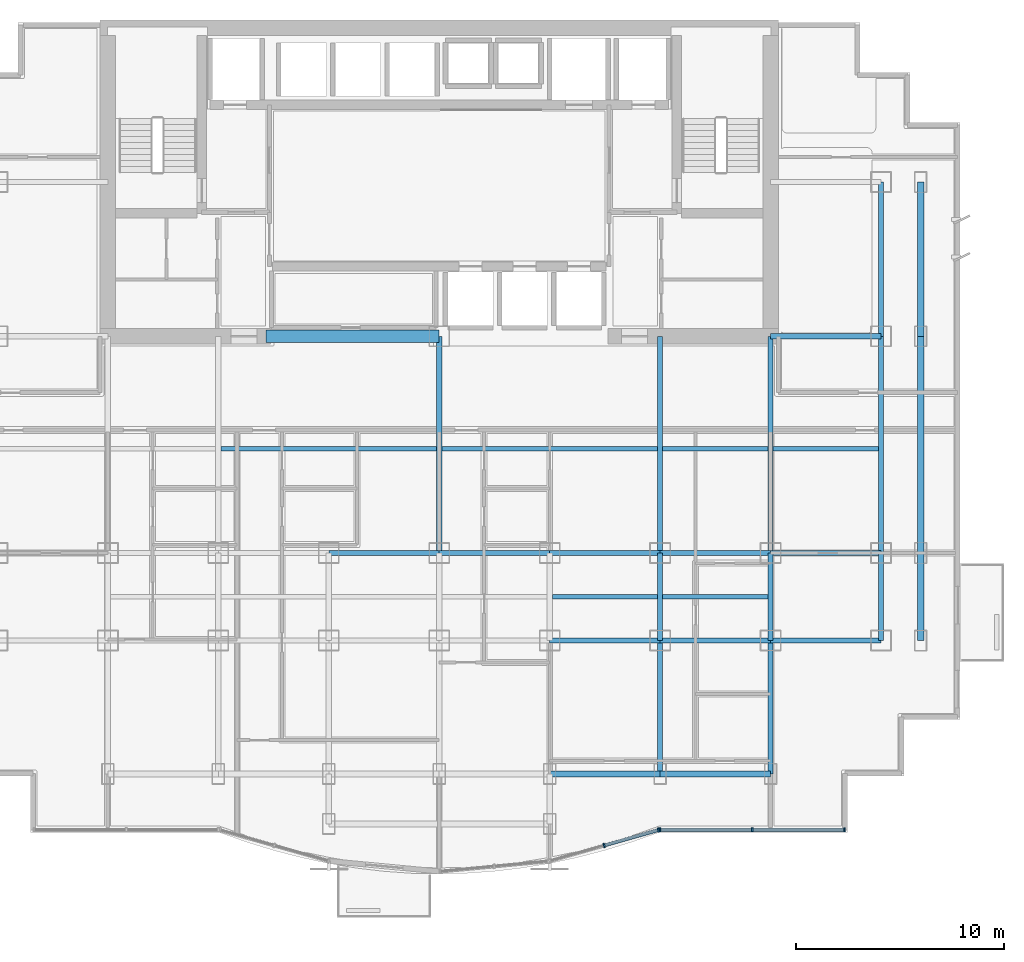
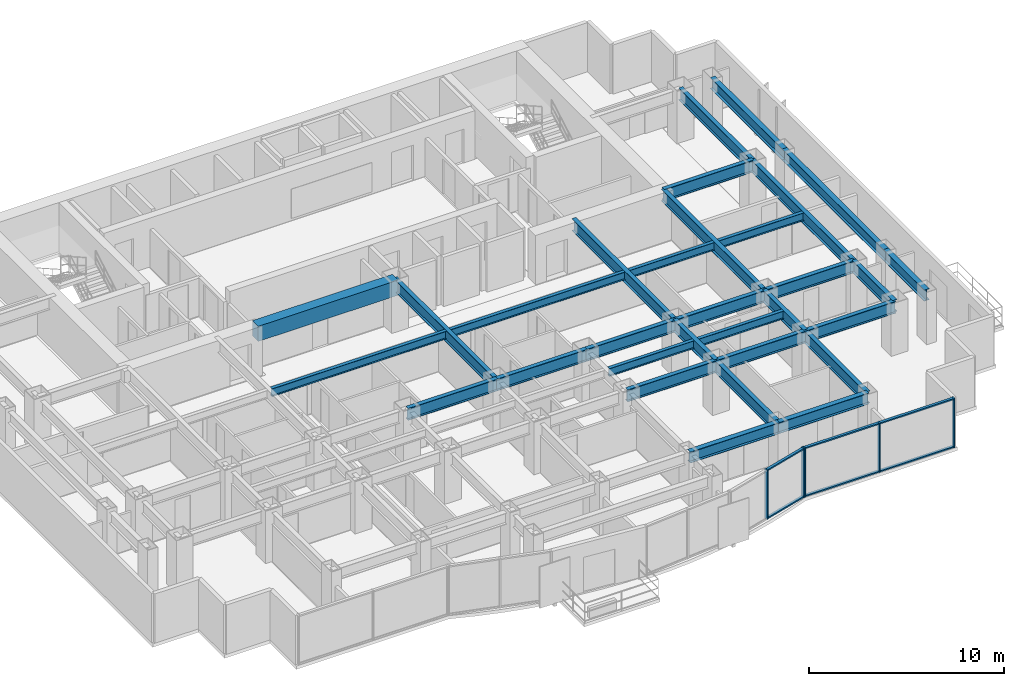
# One storey, part 3 of 10: 31 beams, 11 members, 2 elements without a shape of their own.
"""IFC4 building model written with IfcOpenShell, lengths in metres."""

from ifc_helpers import new_model, si_unit, direction, frame, origin, origin_2d, place, context, subcontext, project, spatial, rectangle, i_section, extrude, source, transform, mapped, material, layer, layer_set, material_profile, profile_set, type_object, element, aggregate, save


model = new_model("IFC4")

# Units and contexts
model_context = context("Model", 3, precision=1e-05, world=origin(), true_north=direction((0.0, 1.0)))
body_context = subcontext(model_context, "Body", "Model", "MODEL_VIEW")
ifc_project = project(units=[si_unit("LENGTHUNIT", "METRE"), si_unit("AREAUNIT", "SQUARE_METRE"), si_unit("VOLUMEUNIT", "CUBIC_METRE"), si_unit("PLANEANGLEUNIT", "RADIAN"), si_unit("MASSUNIT", "GRAM", prefix="KILO")], contexts=[model_context])

# Site, building, storey
site_placement = place(None, origin())
site = spatial("IfcSite", under=ifc_project, at=site_placement, CompositionType="ELEMENT")
building_placement = place(site_placement, origin())
building = spatial("IfcBuilding", under=site, at=building_placement, Name="Qianlan Lanfeng Residences", CompositionType="ELEMENT")
storey_placement = place(building_placement, frame((0.0, 0.0, 91.60009765625)))
storey = spatial("IfcBuildingStorey", under=building, at=storey_placement, Name="L24", CompositionType="ELEMENT", Elevation=91.60009765625)

# Beams
ifc_material_1 = material(Name="Steel SN490B", Category="steel")
ifc_material_profile_1 = material_profile(ifc_material_1, i_section(OverallWidth=0.25, OverallDepth=0.75, WebThickness=0.013916015625, FlangeThickness=0.02490234375, at=origin_2d()), Name="H 750x250x14x25")
ifc_profile_set_1 = profile_set([ifc_material_profile_1], Name="Steel SN490B")
beam_type_1 = type_object("IfcBeamType", Name="G-850", PredefinedType="BEAM", material=ifc_profile_set_1)
beam_1_placement = place(storey_placement, frame((31.800048828125, 10.60009765625, 2.71484375), z_axis=(1.0, 0.0, 0.0), x_axis=(0.0, 1.0, 0.0)))
element("IfcBeam", 1, at=beam_1_placement, inside=storey, type_object=beam_type_1, Name="Structural beam G-850", PredefinedType="BEAM", context=body_context, shape_type="SweptSolid", body=[
    extrude(i_section(OverallWidth=0.25, OverallDepth=0.75, WebThickness=0.013916015625, FlangeThickness=0.02490234375, at=origin_2d()), origin(), (0.0, 0.0, 1.0), 5.300048828125),
])
beam_2_placement = place(storey_placement, frame((37.10009765625, 10.60009765625, 2.71484375), z_axis=(1.0, 0.0, 0.0), x_axis=(0.0, 1.0, 0.0)))
element("IfcBeam", 2, at=beam_2_placement, inside=storey, type_object=beam_type_1, Name="Structural beam G-850", PredefinedType="BEAM", context=body_context, shape_type="SweptSolid", body=[
    extrude(i_section(OverallWidth=0.25, OverallDepth=0.75, WebThickness=0.013916015625, FlangeThickness=0.02490234375, at=origin_2d()), origin(), (0.0, 0.0, 1.0), 5.2998046875),
])
for number, where, z_axis, x_axis, name in (
    (3, (42.39990234375, 10.60009765625, 2.71484375), (1.0, 0.0, 0.0), (0.0, 1.0, 0.0), "Structural beam G-850"),
    (4, (21.199951171875, 14.800048828125, 2.71484375), (1.0, 0.0, 0.0), (0.0, 1.0, 0.0), "Structural beam G-850"),
    (5, (26.5, 14.800048828125, 2.71484375), (1.0, 0.0, 0.0), (0.0, 1.0, 0.0), "Structural beam G-850"),
    (6, (31.800048828125, 14.800048828125, 2.71484375), (1.0, 0.0, 0.0), (0.0, 1.0, 0.0), "Structural beam G-850"),
):
    element("IfcBeam", number, at=place(storey_placement, frame(where, z_axis=z_axis, x_axis=x_axis)), inside=storey, type_object=beam_type_1, Name=name, PredefinedType="BEAM", context=body_context, shape_type="SweptSolid", body=[
        extrude(i_section(OverallWidth=0.25, OverallDepth=0.75, WebThickness=0.013916015625, FlangeThickness=0.02490234375, at=origin_2d()), origin(), (0.0, 0.0, 1.0), 5.300048828125),
    ])
beam_3_placement = place(storey_placement, frame((37.10009765625, 14.800048828125, 2.71484375), z_axis=(1.0, 0.0, 0.0), x_axis=(0.0, 1.0, 0.0)))
element("IfcBeam", 7, at=beam_3_placement, inside=storey, type_object=beam_type_1, Name="Structural beam G-850", PredefinedType="BEAM", context=body_context, shape_type="SweptSolid", body=[
    extrude(i_section(OverallWidth=0.25, OverallDepth=0.75, WebThickness=0.013916015625, FlangeThickness=0.02490234375, at=origin_2d()), origin(), (0.0, 0.0, 1.0), 5.2998046875),
])
for number, where, z_axis, x_axis, name in (
    (8, (42.39990234375, 14.800048828125, 2.71484375), (1.0, 0.0, 0.0), (0.0, 1.0, 0.0), "Structural beam G-850"),
    (9, (42.39990234375, 25.199951171875, 2.71484375), (1.0, 0.0, 0.0), (0.0, 1.0, 0.0), "Structural beam G-850"),
):
    element("IfcBeam", number, at=place(storey_placement, frame(where, z_axis=z_axis, x_axis=x_axis)), inside=storey, type_object=beam_type_1, Name=name, PredefinedType="BEAM", context=body_context, shape_type="SweptSolid", body=[
        extrude(i_section(OverallWidth=0.25, OverallDepth=0.75, WebThickness=0.013916015625, FlangeThickness=0.02490234375, at=origin_2d()), origin(), (0.0, 0.0, 1.0), 5.300048828125),
    ])
beam_4_placement = place(storey_placement, frame((26.5, 14.800048828125, 2.71484375), z_axis=(0.0, 1.0, 0.0), x_axis=(-1.0, 0.0, 0.0)))
element("IfcBeam", 10, at=beam_4_placement, inside=storey, type_object=beam_type_1, Name="Structural beam G-850", PredefinedType="BEAM", context=body_context, shape_type="SweptSolid", body=[
    extrude(i_section(OverallWidth=0.25, OverallDepth=0.75, WebThickness=0.013916015625, FlangeThickness=0.02490234375, at=origin_2d()), origin(), (0.0, 0.0, 1.0), 10.39990234375),
])
beam_5_placement = place(storey_placement, frame((37.10009765625, 4.199951171875, 2.71484375), z_axis=(0.0, 1.0, 0.0), x_axis=(-1.0, 0.0, 0.0)))
element("IfcBeam", 11, at=beam_5_placement, inside=storey, type_object=beam_type_1, Name="Structural beam G-850", PredefinedType="BEAM", context=body_context, shape_type="SweptSolid", body=[
    extrude(i_section(OverallWidth=0.25, OverallDepth=0.75, WebThickness=0.013916015625, FlangeThickness=0.02490234375, at=origin_2d()), origin(), (0.0, 0.0, 1.0), 6.400146484375),
])
beam_6_placement = place(storey_placement, frame((37.10009765625, 10.60009765625, 2.71484375), z_axis=(0.0, 1.0, 0.0), x_axis=(-1.0, 0.0, 0.0)))
element("IfcBeam", 12, at=beam_6_placement, inside=storey, type_object=beam_type_1, Name="Structural beam G-850", PredefinedType="BEAM", context=body_context, shape_type="SweptSolid", body=[
    extrude(i_section(OverallWidth=0.25, OverallDepth=0.75, WebThickness=0.013916015625, FlangeThickness=0.02490234375, at=origin_2d()), origin(), (0.0, 0.0, 1.0), 4.199951171875),
])
beam_7_placement = place(storey_placement, frame((37.10009765625, 14.800048828125, 2.71484375), z_axis=(0.0, 1.0, 0.0), x_axis=(-1.0, 0.0, 0.0)))
element("IfcBeam", 13, at=beam_7_placement, inside=storey, type_object=beam_type_1, Name="Structural beam G-850", PredefinedType="BEAM", context=body_context, shape_type="SweptSolid", body=[
    extrude(i_section(OverallWidth=0.25, OverallDepth=0.75, WebThickness=0.013916015625, FlangeThickness=0.02490234375, at=origin_2d()), origin(), (0.0, 0.0, 1.0), 10.39990234375),
])
beam_8_placement = place(storey_placement, frame((42.39990234375, 4.199951171875, 2.71484375), z_axis=(0.0, 1.0, 0.0), x_axis=(-1.0, 0.0, 0.0)))
element("IfcBeam", 14, at=beam_8_placement, inside=storey, type_object=beam_type_1, Name="Structural beam G-850", PredefinedType="BEAM", context=body_context, shape_type="SweptSolid", body=[
    extrude(i_section(OverallWidth=0.25, OverallDepth=0.75, WebThickness=0.013916015625, FlangeThickness=0.02490234375, at=origin_2d()), origin(), (0.0, 0.0, 1.0), 6.400146484375),
])
beam_9_placement = place(storey_placement, frame((42.39990234375, 10.60009765625, 2.71484375), z_axis=(0.0, 1.0, 0.0), x_axis=(-1.0, 0.0, 0.0)))
element("IfcBeam", 15, at=beam_9_placement, inside=storey, type_object=beam_type_1, Name="Structural beam G-850", PredefinedType="BEAM", context=body_context, shape_type="SweptSolid", body=[
    extrude(i_section(OverallWidth=0.25, OverallDepth=0.75, WebThickness=0.013916015625, FlangeThickness=0.02490234375, at=origin_2d()), origin(), (0.0, 0.0, 1.0), 4.199951171875),
])
beam_10_placement = place(storey_placement, frame((42.39990234375, 14.800048828125, 2.71484375), z_axis=(0.0, 1.0, 0.0), x_axis=(-1.0, 0.0, 0.0)))
element("IfcBeam", 16, at=beam_10_placement, inside=storey, type_object=beam_type_1, Name="Structural beam G-850", PredefinedType="BEAM", context=body_context, shape_type="SweptSolid", body=[
    extrude(i_section(OverallWidth=0.25, OverallDepth=0.75, WebThickness=0.013916015625, FlangeThickness=0.02490234375, at=origin_2d()), origin(), (0.0, 0.0, 1.0), 10.39990234375),
])
beam_11_placement = place(storey_placement, frame((47.699951171875, 10.60009765625, 2.71484375), z_axis=(0.0, 1.0, 0.0), x_axis=(-1.0, 0.0, 0.0)))
element("IfcBeam", 17, at=beam_11_placement, inside=storey, type_object=beam_type_1, Name="Structural beam G-850", PredefinedType="BEAM", context=body_context, shape_type="SweptSolid", body=[
    extrude(i_section(OverallWidth=0.25, OverallDepth=0.75, WebThickness=0.013916015625, FlangeThickness=0.02490234375, at=origin_2d()), origin(), (0.0, 0.0, 1.0), 4.199951171875),
])
beam_12_placement = place(storey_placement, frame((47.699951171875, 14.800048828125, 2.71484375), z_axis=(0.0, 1.0, 0.0), x_axis=(-1.0, 0.0, 0.0)))
element("IfcBeam", 18, at=beam_12_placement, inside=storey, type_object=beam_type_1, Name="Structural beam G-850", PredefinedType="BEAM", context=body_context, shape_type="SweptSolid", body=[
    extrude(i_section(OverallWidth=0.25, OverallDepth=0.75, WebThickness=0.013916015625, FlangeThickness=0.02490234375, at=origin_2d()), origin(), (0.0, 0.0, 1.0), 10.39990234375),
])
beam_13_placement = place(storey_placement, frame((47.699951171875, 25.199951171875, 2.71484375), z_axis=(0.0, 1.0, 0.0), x_axis=(-1.0, 0.0, 0.0)))
element("IfcBeam", 19, at=beam_13_placement, inside=storey, type_object=beam_type_1, Name="Structural beam G-850", PredefinedType="BEAM", context=body_context, shape_type="SweptSolid", body=[
    extrude(i_section(OverallWidth=0.25, OverallDepth=0.75, WebThickness=0.013916015625, FlangeThickness=0.02490234375, at=origin_2d()), origin(), (0.0, 0.0, 1.0), 7.400146484375),
])
ifc_material_profile_2 = material_profile(ifc_material_1, i_section(OverallWidth=0.199951171875, OverallDepth=0.5, WebThickness=0.010009765625, FlangeThickness=0.01611328125, at=origin_2d()), Name="H 500x200x10x16")
ifc_profile_set_2 = profile_set([ifc_material_profile_2], Name="Steel SN490B")
beam_type_2 = type_object("IfcBeamType", Name="J-500", PredefinedType="JOIST", material=ifc_profile_set_2)
beam_14_placement = place(storey_placement, frame((31.925048828125, 12.699951171875, 2.83984375), z_axis=(1.0, 0.0, 0.0), x_axis=(0.0, 1.0, 0.0)))
element("IfcBeam", 20, at=beam_14_placement, inside=storey, type_object=beam_type_2, Name="Structural beam J-500", PredefinedType="JOIST", context=body_context, shape_type="SweptSolid", body=[
    extrude(i_section(OverallWidth=0.199951171875, OverallDepth=0.5, WebThickness=0.010009765625, FlangeThickness=0.01611328125, at=origin_2d()), origin(), (0.0, 0.0, 1.0), 5.050048828125),
])
beam_15_placement = place(storey_placement, frame((37.22509765625, 12.699951171875, 2.83984375), z_axis=(1.0, 0.0, 0.0), x_axis=(0.0, 1.0, 0.0)))
element("IfcBeam", 21, at=beam_15_placement, inside=storey, type_object=beam_type_2, Name="Structural beam J-500", PredefinedType="JOIST", context=body_context, shape_type="SweptSolid", body=[
    extrude(i_section(OverallWidth=0.199951171875, OverallDepth=0.5, WebThickness=0.010009765625, FlangeThickness=0.01611328125, at=origin_2d()), origin(), (0.0, 0.0, 1.0), 5.0498046875),
])
for number, where, z_axis, x_axis, name in (
    (22, (16.02490234375, 19.800048828125, 2.83984375), (1.0, 0.0, 0.0), (0.0, 1.0, 0.0), "Structural beam J-500"),
    (23, (26.625, 19.800048828125, 2.83984375), (1.0, 0.0, 0.0), (0.0, 1.0, 0.0), "Structural beam J-500"),
):
    element("IfcBeam", number, at=place(storey_placement, frame(where, z_axis=z_axis, x_axis=x_axis)), inside=storey, type_object=beam_type_2, Name=name, PredefinedType="JOIST", context=body_context, shape_type="SweptSolid", body=[
        extrude(i_section(OverallWidth=0.199951171875, OverallDepth=0.5, WebThickness=0.010009765625, FlangeThickness=0.01611328125, at=origin_2d()), origin(), (0.0, 0.0, 1.0), 10.35009765625),
    ])
beam_16_placement = place(storey_placement, frame((37.22509765625, 19.800048828125, 2.83984375), z_axis=(1.0, 0.0, 0.0), x_axis=(0.0, 1.0, 0.0)))
element("IfcBeam", 24, at=beam_16_placement, inside=storey, type_object=beam_type_2, Name="Structural beam J-500", PredefinedType="JOIST", context=body_context, shape_type="SweptSolid", body=[
    extrude(i_section(OverallWidth=0.199951171875, OverallDepth=0.5, WebThickness=0.010009765625, FlangeThickness=0.01611328125, at=origin_2d()), origin(), (0.0, 0.0, 1.0), 5.0498046875),
])
beam_17_placement = place(storey_placement, frame((42.52490234375, 19.800048828125, 2.83984375), z_axis=(1.0, 0.0, 0.0), x_axis=(0.0, 1.0, 0.0)))
element("IfcBeam", 25, at=beam_17_placement, inside=storey, type_object=beam_type_2, Name="Structural beam J-500", PredefinedType="JOIST", context=body_context, shape_type="SweptSolid", body=[
    extrude(i_section(OverallWidth=0.199951171875, OverallDepth=0.5, WebThickness=0.010009765625, FlangeThickness=0.01611328125, at=origin_2d()), origin(), (0.0, 0.0, 1.0), 5.050048828125),
])
ifc_material_2 = material(Name="Concrete C60", Category="concrete")
ifc_material_profile_3 = material_profile(ifc_material_2, rectangle(XDim=0.60009765625, YDim=0.949951171875, at=origin_2d()), Name="RC 600x950")
ifc_profile_set_3 = profile_set([ifc_material_profile_3], Name="Concrete C60")
beam_type_3 = type_object("IfcBeamType", Name="LB-RC900", PredefinedType="BEAM", material=ifc_profile_set_3)
beam_18_placement = place(storey_placement, frame((18.199951171875, 25.199951171875, 2.614990234375), z_axis=(1.0, 0.0, 0.0), x_axis=(0.0, 1.0, 0.0)))
element("IfcBeam", 26, at=beam_18_placement, inside=storey, type_object=beam_type_3, Name="L24 Core Coupling Beam W", PredefinedType="BEAM", context=body_context, shape_type="SweptSolid", body=[
    extrude(rectangle(XDim=0.60009765625, YDim=0.949951171875, at=origin_2d()), origin(), (0.0, 0.0, 1.0), 8.300048828125),
])
ifc_material_profile_4 = material_profile(ifc_material_1, i_section(OverallWidth=0.300048828125, OverallDepth=0.699951171875, WebThickness=0.012939453125, FlangeThickness=0.02392578125, at=origin_2d()), Name="H 700x300x13x24")
ifc_profile_set_4 = profile_set([ifc_material_profile_4], Name="Steel SN490B")
beam_type_4 = type_object("IfcBeamType", Name="SG-750", PredefinedType="SPANDREL", material=ifc_profile_set_4)
beam_19_placement = place(storey_placement, frame((31.800048828125, 4.199951171875, 2.739990234375), z_axis=(1.0, 0.0, 0.0), x_axis=(0.0, 1.0, 0.0)))
element("IfcBeam", 27, at=beam_19_placement, inside=storey, type_object=beam_type_4, Name="Structural beam SG-750", PredefinedType="SPANDREL", context=body_context, shape_type="SweptSolid", body=[
    extrude(i_section(OverallWidth=0.300048828125, OverallDepth=0.699951171875, WebThickness=0.012939453125, FlangeThickness=0.02392578125, at=origin_2d()), origin(), (0.0, 0.0, 1.0), 5.300048828125),
])
beam_20_placement = place(storey_placement, frame((37.10009765625, 4.199951171875, 2.739990234375), z_axis=(1.0, 0.0, 0.0), x_axis=(0.0, 1.0, 0.0)))
element("IfcBeam", 28, at=beam_20_placement, inside=storey, type_object=beam_type_4, Name="Structural beam SG-750", PredefinedType="SPANDREL", context=body_context, shape_type="SweptSolid", body=[
    extrude(i_section(OverallWidth=0.300048828125, OverallDepth=0.699951171875, WebThickness=0.012939453125, FlangeThickness=0.02392578125, at=origin_2d()), origin(), (0.0, 0.0, 1.0), 5.2998046875),
])
beam_21_placement = place(storey_placement, frame((49.60009765625, 10.60009765625, 2.739990234375), z_axis=(0.0, 1.0, 0.0), x_axis=(-1.0, 0.0, 0.0)))
element("IfcBeam", 29, at=beam_21_placement, inside=storey, type_object=beam_type_4, Name="Structural beam SG-750", PredefinedType="SPANDREL", context=body_context, shape_type="SweptSolid", body=[
    extrude(i_section(OverallWidth=0.300048828125, OverallDepth=0.699951171875, WebThickness=0.012939453125, FlangeThickness=0.02392578125, at=origin_2d()), origin(), (0.0, 0.0, 1.0), 4.199951171875),
])
beam_22_placement = place(storey_placement, frame((49.60009765625, 14.800048828125, 2.739990234375), z_axis=(0.0, 1.0, 0.0), x_axis=(-1.0, 0.0, 0.0)))
element("IfcBeam", 30, at=beam_22_placement, inside=storey, type_object=beam_type_4, Name="Structural beam SG-750", PredefinedType="SPANDREL", context=body_context, shape_type="SweptSolid", body=[
    extrude(i_section(OverallWidth=0.300048828125, OverallDepth=0.699951171875, WebThickness=0.012939453125, FlangeThickness=0.02392578125, at=origin_2d()), origin(), (0.0, 0.0, 1.0), 10.39990234375),
])
beam_23_placement = place(storey_placement, frame((49.60009765625, 25.199951171875, 2.739990234375), z_axis=(0.0, 1.0, 0.0), x_axis=(-1.0, 0.0, 0.0)))
element("IfcBeam", 31, at=beam_23_placement, inside=storey, type_object=beam_type_4, Name="Structural beam SG-750", PredefinedType="SPANDREL", context=body_context, shape_type="SweptSolid", body=[
    extrude(i_section(OverallWidth=0.300048828125, OverallDepth=0.699951171875, WebThickness=0.012939453125, FlangeThickness=0.02392578125, at=origin_2d()), origin(), (0.0, 0.0, 1.0), 7.400146484375),
])

# Curtain wall, members
ifc_material_3 = material(Name="Anodised Bronze Aluminium 6063-T6", Category="aluminium")
ifc_layer = layer(ifc_material_3, 0.219970703125)
ifc_layer_set = layer_set([ifc_layer], Name="Anodised Bronze Aluminium 6063-T6")
curtain_wall_type = type_object("IfcCurtainWallType", Name="CW-03", PredefinedType="NOTDEFINED", material=ifc_layer_set)
curtain_wall_1_placement = place(storey_placement, origin())
curtain_wall_1 = element("IfcCurtainWall", 32, at=curtain_wall_1_placement, inside=storey, type_object=curtain_wall_type, Name="L24 Unitised Curtain Wall CWR-L24-05 (CW-03)", PredefinedType="NOTDEFINED")
ifc_material_profile_5 = material_profile(ifc_material_3, rectangle(XDim=0.080078125, YDim=0.159912109375, at=origin_2d()), Name="ALU TRANSOM 80x160")
ifc_profile_set_5 = profile_set([ifc_material_profile_5], Name="Anodised Bronze Aluminium 6063-T6")
member_type_1 = type_object("IfcMemberType", Name="CWT-180", PredefinedType="USERDEFINED", material=ifc_profile_set_5)
shared_shape_1 = source(origin(), body_context, "Body", "SweptSolid", [
    extrude(rectangle(XDim=0.080078125, YDim=0.159912109375, at=origin_2d()), origin(), (0.0, 0.0, 1.0), 4.34033203125),
])
member_1_placement = place(storey_placement, frame((41.5595703125, 1.52001953125, 0.039794921875), z_axis=(1.0, 0.0, 0.0), x_axis=(0.0, 0.0, 1.0)))
member_1 = element("IfcMember", 33, at=member_1_placement, type_object=member_type_1, Name="CWR-L24-05 Transom 2-BOT", ObjectType="TRANSOM", PredefinedType="USERDEFINED", context=body_context, shape_type="MappedRepresentation", body=[
    mapped(shared_shape_1, transform((0.0, 0.0, 0.0), scale=1.0)),
])
member_2_placement = place(storey_placement, frame((41.5595703125, 1.52001953125, 3.0498046875), z_axis=(1.0, 0.0, 0.0), x_axis=(0.0, 0.0, 1.0)))
member_2 = element("IfcMember", 34, at=member_2_placement, type_object=member_type_1, Name="CWR-L24-05 Transom 2-TOP", ObjectType="TRANSOM", PredefinedType="USERDEFINED", context=body_context, shape_type="MappedRepresentation", body=[
    mapped(shared_shape_1, transform((0.0, 0.0, 0.0), scale=1.0)),
])
shared_shape_2 = source(origin(), body_context, "Body", "SweptSolid", [
    extrude(rectangle(XDim=0.080078125, YDim=0.159912109375, at=origin_2d()), origin(), (0.0, 0.0, 1.0), 4.340576171875),
])
member_3_placement = place(storey_placement, frame((37.138916015625, 1.52001953125, 0.039794921875), z_axis=(1.0, 0.0, 0.0), x_axis=(0.0, 0.0, 1.0)))
member_3 = element("IfcMember", 35, at=member_3_placement, type_object=member_type_1, Name="CWR-L24-05 Transom 1-BOT", ObjectType="TRANSOM", PredefinedType="USERDEFINED", context=body_context, shape_type="MappedRepresentation", body=[
    mapped(shared_shape_2, transform((0.0, 0.0, 0.0), scale=1.0)),
])
member_4_placement = place(storey_placement, frame((37.138916015625, 1.52001953125, 3.0498046875), z_axis=(1.0, 0.0, 0.0), x_axis=(0.0, 0.0, 1.0)))
member_4 = element("IfcMember", 36, at=member_4_placement, type_object=member_type_1, Name="CWR-L24-05 Transom 1-TOP", ObjectType="TRANSOM", PredefinedType="USERDEFINED", context=body_context, shape_type="MappedRepresentation", body=[
    mapped(shared_shape_2, transform((0.0, 0.0, 0.0), scale=1.0)),
])

curtain_wall_2_placement = place(storey_placement, origin())
curtain_wall_2 = element("IfcCurtainWall", 37, at=curtain_wall_2_placement, inside=storey, type_object=curtain_wall_type, Name="L24 Unitised Curtain Wall CWR-L24-04 (CW-03)", PredefinedType="NOTDEFINED")
shared_shape_3 = source(origin(), body_context, "Body", "SweptSolid", [
    extrude(rectangle(XDim=0.080078125, YDim=0.159912109375, at=origin_2d()), origin(), (0.0, 0.0, 1.0), 2.63037109375),
])
member_5_placement = place(storey_placement, frame((34.451904296875, 0.77978515625, 0.039794921875), z_axis=(0.961967513886, 0.273163874312, 0.0), x_axis=(0.0, 0.0, 1.0)))
member_5 = element("IfcMember", 38, at=member_5_placement, type_object=member_type_1, Name="CWR-L24-04 Transom 2-BOT", ObjectType="TRANSOM", PredefinedType="USERDEFINED", context=body_context, shape_type="MappedRepresentation", body=[
    mapped(shared_shape_3, transform((0.0, 0.0, 0.0), scale=1.0)),
])
member_6_placement = place(storey_placement, frame((34.451904296875, 0.77978515625, 3.0498046875), z_axis=(0.961967513886, 0.273163874312, 0.0), x_axis=(0.0, 0.0, 1.0)))
member_6 = element("IfcMember", 39, at=member_6_placement, type_object=member_type_1, Name="CWR-L24-04 Transom 2-TOP", ObjectType="TRANSOM", PredefinedType="USERDEFINED", context=body_context, shape_type="MappedRepresentation", body=[
    mapped(shared_shape_3, transform((0.0, 0.0, 0.0), scale=1.0)),
])
ifc_material_profile_6 = material_profile(ifc_material_3, rectangle(XDim=0.080078125, YDim=0.2099609375, at=origin_2d()), Name="ALU MULLION 80x210")
ifc_profile_set_6 = profile_set([ifc_material_profile_6], Name="Anodised Bronze Aluminium 6063-T6")
member_type_2 = type_object("IfcMemberType", Name="CWM-220", PredefinedType="MULLION", material=ifc_profile_set_6)
shared_shape_4 = source(origin(), body_context, "Body", "SweptSolid", [
    extrude(rectangle(XDim=0.080078125, YDim=0.2099609375, at=origin_2d()), origin(), (0.0, 0.0, 1.0), 3.08984375),
])
member_7_placement = place(storey_placement, frame((34.41357421875, 0.76904296875, 0.0), z_axis=(0.0, 0.0, 1.0), x_axis=(0.961989074302, 0.273087936247, 0.0)))
member_7 = element("IfcMember", 40, at=member_7_placement, type_object=member_type_2, Name="CWR-L24-04 Mullion 2", PredefinedType="MULLION", context=body_context, shape_type="MappedRepresentation", body=[
    mapped(shared_shape_4, transform((0.0, 0.0, 0.0), scale=1.0)),
])
member_8_placement = place(storey_placement, frame((37.0205078125, 1.509033203125, 0.0), z_axis=(0.0, 0.0, 1.0), x_axis=(0.961989074302, 0.273087936247, 0.0)))
member_8 = element("IfcMember", 41, at=member_8_placement, type_object=member_type_2, Name="CWR-L24-04 Mullion 3", PredefinedType="MULLION", context=body_context, shape_type="MappedRepresentation", body=[
    mapped(shared_shape_4, transform((0.0, 0.0, 0.0), scale=1.0)),
])
aggregate(curtain_wall_2, [member_7, member_8, member_5, member_6])

# Member
member_9_placement = place(storey_placement, frame((37.09912109375, 1.52001953125, 0.0), z_axis=(0.0, 0.0, 1.0), x_axis=(1.0, 0.0, 0.0)))
member_9 = element("IfcMember", 42, at=member_9_placement, type_object=member_type_2, Name="CWR-L24-05 Mullion 1", PredefinedType="MULLION", context=body_context, shape_type="MappedRepresentation", body=[
    mapped(shared_shape_4, transform((0.0, 0.0, 0.0), scale=1.0)),
])

member_10_placement = place(storey_placement, frame((41.51953125, 1.52001953125, 0.0), z_axis=(0.0, 0.0, 1.0), x_axis=(1.0, 0.0, 0.0)))
member_10 = element("IfcMember", 43, at=member_10_placement, type_object=member_type_2, Name="CWR-L24-05 Mullion 2", PredefinedType="MULLION", context=body_context, shape_type="MappedRepresentation", body=[
    mapped(shared_shape_4, transform((0.0, 0.0, 0.0), scale=1.0)),
])

member_11_placement = place(storey_placement, frame((45.93994140625, 1.52001953125, 0.0), z_axis=(0.0, 0.0, 1.0), x_axis=(1.0, 0.0, 0.0)))
member_11 = element("IfcMember", 44, at=member_11_placement, type_object=member_type_2, Name="CWR-L24-05 Mullion 3", PredefinedType="MULLION", context=body_context, shape_type="MappedRepresentation", body=[
    mapped(shared_shape_4, transform((0.0, 0.0, 0.0), scale=1.0)),
])

aggregate(curtain_wall_1, [member_9, member_10, member_11, member_3, member_4, member_1, member_2])

save(model, "model.ifc")
